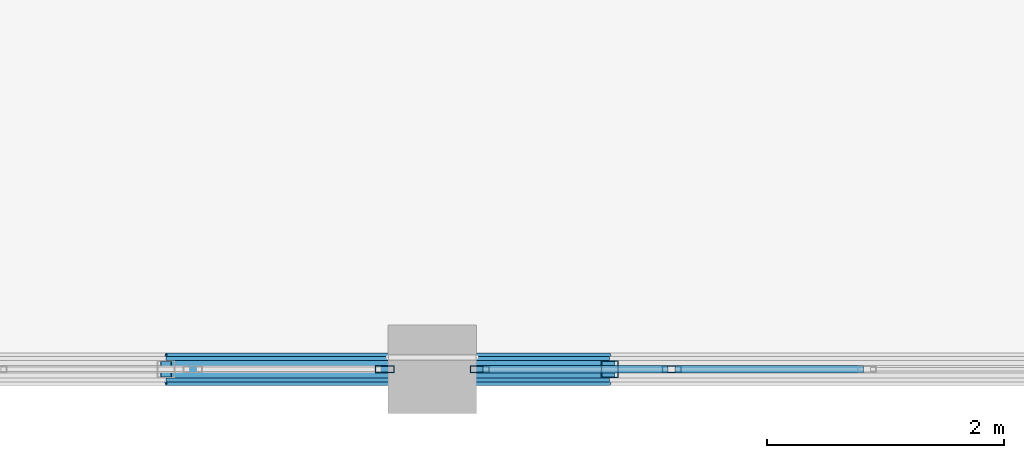
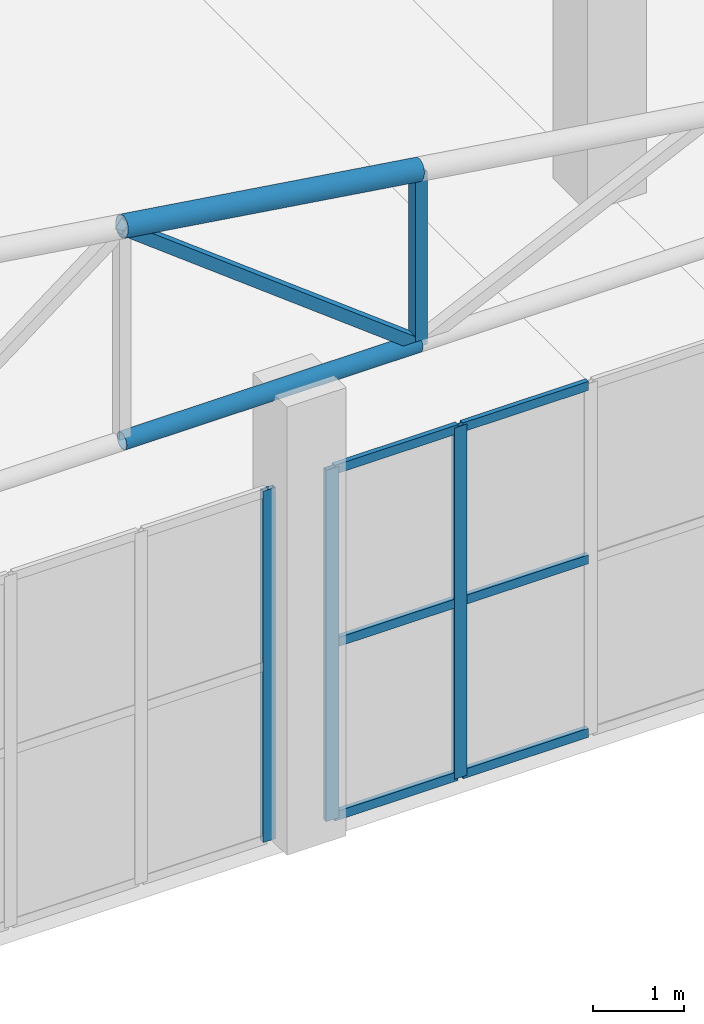
# One storey, part 51 of 223: 13 members, 2 elements without a shape of their own.
"""IFC4 building model written with IfcOpenShell, lengths in metres."""

from ifc_helpers import new_model, si_unit, direction, frame, origin, origin_2d, place, context, subcontext, project, spatial, hollow_rectangle, hollow_circle, extrude, material, layer, layer_set, material_profile, profile_set, type_object, element, aggregate, save


model = new_model("IFC4")

# Units and contexts
model_context = context("Model", 3, precision=1e-05, world=origin(), true_north=direction((0.0, 1.0)))
body_context = subcontext(model_context, "Body", "Model", "MODEL_VIEW")
ifc_project = project(units=[si_unit("LENGTHUNIT", "METRE"), si_unit("AREAUNIT", "SQUARE_METRE"), si_unit("VOLUMEUNIT", "CUBIC_METRE"), si_unit("PLANEANGLEUNIT", "RADIAN"), si_unit("MASSUNIT", "GRAM", prefix="KILO")], contexts=[model_context])

# Site, building, storey
site_placement = place(None, origin())
site = spatial("IfcSite", under=ifc_project, at=site_placement, CompositionType="ELEMENT")
building_placement = place(site_placement, origin())
building = spatial("IfcBuilding", under=site, at=building_placement, Name="Dornveld Trade and Exhibition Forum", CompositionType="ELEMENT")
storey_placement = place(building_placement, frame((0.0, 0.0, 6.0)))
storey = spatial("IfcBuildingStorey", under=building, at=storey_placement, Name="L01", CompositionType="ELEMENT", Elevation=6.0)

# Curtain wall, member
ifc_material_1 = material(Name="Dark-bronze anodised aluminium and low-E glass", Category="aluminium")
ifc_layer_1 = layer(ifc_material_1, 0.172119140625)
ifc_layer_set_1 = layer_set([ifc_layer_1], Name="Dark-bronze anodised aluminium and low-E glass")
curtain_wall_type_1 = type_object("IfcCurtainWallType", Name="CW-SYS-10", PredefinedType="USERDEFINED", material=ifc_layer_set_1)
curtain_wall_1_placement = place(storey_placement, origin())
curtain_wall_1 = element("IfcCurtainWall", 1, at=curtain_wall_1_placement, inside=storey, type_object=curtain_wall_type_1, Name="L01 unitised curtain wall 136", ObjectType="UNITISED_CURTAIN_WALL", PredefinedType="USERDEFINED")
ifc_material_2 = material(Name="Dark-bronze anodised aluminium", Category="aluminium")
ifc_material_profile_1 = material_profile(ifc_material_2, hollow_rectangle(XDim=0.06005859375, YDim=0.159912109375, WallThickness=0.00390625, at=origin_2d()), Name="RHS 160x60x4")
ifc_profile_set_1 = profile_set([ifc_material_profile_1], Name="Dark-bronze anodised aluminium")
member_type_1 = type_object("IfcMemberType", Name="CW-MUL-160", PredefinedType="MULLION", material=ifc_profile_set_1)
member_1_placement = place(storey_placement, frame((188.59912109375, 0.0, -0.00390625), z_axis=(0.0, 0.0, 1.0), x_axis=(0.0, 1.0, 0.0)))
member_1 = element("IfcMember", 2, at=member_1_placement, type_object=member_type_1, Name="CW-10 mullion 6", PredefinedType="MULLION", context=body_context, shape_type="SweptSolid", body=[
    extrude(hollow_rectangle(XDim=0.06005859375, YDim=0.159912109375, WallThickness=0.00390625, at=origin_2d()), origin(), (0.0, 0.0, 1.0), 4.703857421875),
])
aggregate(curtain_wall_1, [member_1])

# Curtain wall, members
ifc_material_3 = material(Name="Dark-bronze anodised aluminium and low-E glass", Category="aluminium")
ifc_layer_2 = layer(ifc_material_3, 0.175048828125)
ifc_layer_set_2 = layer_set([ifc_layer_2], Name="Dark-bronze anodised aluminium and low-E glass")
curtain_wall_type_2 = type_object("IfcCurtainWallType", Name="CW-SYS-11", PredefinedType="USERDEFINED", material=ifc_layer_set_2)
curtain_wall_2_placement = place(storey_placement, origin())
curtain_wall_2 = element("IfcCurtainWall", 3, at=curtain_wall_2_placement, inside=storey, type_object=curtain_wall_type_2, Name="L01 unitised curtain wall 137", ObjectType="UNITISED_CURTAIN_WALL", PredefinedType="USERDEFINED")
member_2_placement = place(storey_placement, frame((189.40087890625, 0.0, -0.00390625), z_axis=(0.0, 0.0, 1.0), x_axis=(0.0, 1.0, 0.0)))
member_2 = element("IfcMember", 4, at=member_2_placement, type_object=member_type_1, Name="CW-11 mullion 1", PredefinedType="MULLION", context=body_context, shape_type="SweptSolid", body=[
    extrude(hollow_rectangle(XDim=0.06005859375, YDim=0.159912109375, WallThickness=0.00390625, at=origin_2d()), origin(), (0.0, 0.0, 1.0), 4.703857421875),
])
member_3_placement = place(storey_placement, frame((191.022705078125, 0.0, -0.00390625), z_axis=(0.0, 0.0, 1.0), x_axis=(0.0, 1.0, 0.0)))
member_3 = element("IfcMember", 5, at=member_3_placement, type_object=member_type_1, Name="CW-11 mullion 2", PredefinedType="MULLION", context=body_context, shape_type="SweptSolid", body=[
    extrude(hollow_rectangle(XDim=0.06005859375, YDim=0.159912109375, WallThickness=0.00390625, at=origin_2d()), origin(), (0.0, 0.0, 1.0), 4.703857421875),
])
ifc_material_4 = material(Name="Dark-bronze anodised aluminium", Category="aluminium")
ifc_material_profile_2 = material_profile(ifc_material_4, hollow_rectangle(XDim=0.06005859375, YDim=0.1201171875, WallThickness=0.00390625, at=origin_2d()), Name="RHS 120x60x4")
ifc_profile_set_2 = profile_set([ifc_material_profile_2], Name="Dark-bronze anodised aluminium")
member_type_2 = type_object("IfcMemberType", Name="CW-TRN-120", PredefinedType="USERDEFINED", material=ifc_profile_set_2)
member_4_placement = place(storey_placement, frame((189.430908203125, 0.0, 0.02587890625), z_axis=(1.0, 0.0, 0.0), x_axis=(0.0, 1.0, 0.0)))
member_4 = element("IfcMember", 6, at=member_4_placement, type_object=member_type_2, Name="CW-11 transom 1.1", ObjectType="TRANSOM", PredefinedType="USERDEFINED", context=body_context, shape_type="SweptSolid", body=[
    extrude(hollow_rectangle(XDim=0.06005859375, YDim=0.1201171875, WallThickness=0.00390625, at=origin_2d()), origin(), (0.0, 0.0, 1.0), 1.561767578125),
])
member_5_placement = place(storey_placement, frame((189.430908203125, 0.0, 2.347900390625), z_axis=(1.0, 0.0, 0.0), x_axis=(0.0, 1.0, 0.0)))
member_5 = element("IfcMember", 7, at=member_5_placement, type_object=member_type_2, Name="CW-11 transom 1.2", ObjectType="TRANSOM", PredefinedType="USERDEFINED", context=body_context, shape_type="SweptSolid", body=[
    extrude(hollow_rectangle(XDim=0.06005859375, YDim=0.1201171875, WallThickness=0.00390625, at=origin_2d()), origin(), (0.0, 0.0, 1.0), 1.561767578125),
])
member_6_placement = place(storey_placement, frame((189.430908203125, 0.0, 4.669921875), z_axis=(1.0, 0.0, 0.0), x_axis=(0.0, 1.0, 0.0)))
member_6 = element("IfcMember", 8, at=member_6_placement, type_object=member_type_2, Name="CW-11 transom 1.3", ObjectType="TRANSOM", PredefinedType="USERDEFINED", context=body_context, shape_type="SweptSolid", body=[
    extrude(hollow_rectangle(XDim=0.06005859375, YDim=0.1201171875, WallThickness=0.00390625, at=origin_2d()), origin(), (0.0, 0.0, 1.0), 1.561767578125),
])
member_7_placement = place(storey_placement, frame((191.052490234375, 0.0, 0.02587890625), z_axis=(1.0, 0.0, 0.0), x_axis=(0.0, 1.0, 0.0)))
member_7 = element("IfcMember", 9, at=member_7_placement, type_object=member_type_2, Name="CW-11 transom 2.1", ObjectType="TRANSOM", PredefinedType="USERDEFINED", context=body_context, shape_type="SweptSolid", body=[
    extrude(hollow_rectangle(XDim=0.06005859375, YDim=0.1201171875, WallThickness=0.00390625, at=origin_2d()), origin(), (0.0, 0.0, 1.0), 1.591796875),
])
member_8_placement = place(storey_placement, frame((191.052490234375, 0.0, 2.347900390625), z_axis=(1.0, 0.0, 0.0), x_axis=(0.0, 1.0, 0.0)))
member_8 = element("IfcMember", 10, at=member_8_placement, type_object=member_type_2, Name="CW-11 transom 2.2", ObjectType="TRANSOM", PredefinedType="USERDEFINED", context=body_context, shape_type="SweptSolid", body=[
    extrude(hollow_rectangle(XDim=0.06005859375, YDim=0.1201171875, WallThickness=0.00390625, at=origin_2d()), origin(), (0.0, 0.0, 1.0), 1.591796875),
])
member_9_placement = place(storey_placement, frame((191.052490234375, 0.0, 4.669921875), z_axis=(1.0, 0.0, 0.0), x_axis=(0.0, 1.0, 0.0)))
member_9 = element("IfcMember", 11, at=member_9_placement, type_object=member_type_2, Name="CW-11 transom 2.3", ObjectType="TRANSOM", PredefinedType="USERDEFINED", context=body_context, shape_type="SweptSolid", body=[
    extrude(hollow_rectangle(XDim=0.06005859375, YDim=0.1201171875, WallThickness=0.00390625, at=origin_2d()), origin(), (0.0, 0.0, 1.0), 1.591796875),
])
aggregate(curtain_wall_2, [member_2, member_3, member_4, member_5, member_6, member_7, member_8, member_9])

# Members
ifc_material_5 = material(Name="Steel S355J2", Category="steel")
ifc_material_profile_3 = material_profile(ifc_material_5, hollow_rectangle(XDim=0.14990234375, YDim=0.14990234375, WallThickness=0.008056640625, at=origin_2d()), Name="SHS 150x150x8")
ifc_profile_set_3 = profile_set([ifc_material_profile_3], Name="Steel S355J2")
member_type_3 = type_object("IfcMemberType", Name="MEM-ARCH-STR", PredefinedType="STRUT", material=ifc_profile_set_3)
member_10_placement = place(storey_placement, frame((190.5, 0.0, 5.97998046875), z_axis=(0.0, 0.0, 1.0), x_axis=(1.0, 0.0, 0.0)))
element("IfcMember", 12, at=member_10_placement, inside=storey, type_object=member_type_3, Name="Congress roof truss 1 post 11", PredefinedType="STRUT", context=body_context, shape_type="SweptSolid", body=[
    extrude(hollow_rectangle(XDim=0.14990234375, YDim=0.14990234375, WallThickness=0.008056640625, at=origin_2d()), origin(), (0.0, 0.0, 1.0), 2.320068359375),
])
ifc_material_6 = material(Name="Steel S355J2", Category="steel")
ifc_material_profile_4 = material_profile(ifc_material_6, hollow_circle(Radius=0.109619140625, WallThickness=0.010009765625, at=origin_2d()), Name="CHS 219.1x10")
ifc_profile_set_4 = profile_set([ifc_material_profile_4], Name="Steel S355J2")
member_type_4 = type_object("IfcMemberType", Name="MEM-CONG-BC", PredefinedType="CHORD", material=ifc_profile_set_4)
member_11_placement = place(storey_placement, frame((186.75, 0.0, 5.97998046875), z_axis=(1.0, 0.0, 0.0), x_axis=(0.0, 1.0, 0.0)))
element("IfcMember", 13, at=member_11_placement, inside=storey, type_object=member_type_4, Name="Congress roof truss 1 bottom chord 10", PredefinedType="CHORD", context=body_context, shape_type="SweptSolid", body=[
    extrude(hollow_circle(Radius=0.109619140625, WallThickness=0.010009765625, at=origin_2d()), origin(), (0.0, 0.0, 1.0), 3.75),
])
ifc_material_7 = material(Name="Steel S355J2", Category="steel")
ifc_material_profile_5 = material_profile(ifc_material_7, hollow_circle(Radius=0.136474609375, WallThickness=0.012451171875, at=origin_2d()), Name="CHS 273x12.5")
ifc_profile_set_5 = profile_set([ifc_material_profile_5], Name="Steel S355J2")
member_type_5 = type_object("IfcMemberType", Name="MEM-CONG-TC", PredefinedType="CHORD", material=ifc_profile_set_5)
member_12_placement = place(storey_placement, frame((186.75, 0.0, 8.85009765625), z_axis=(0.989413064489, 0.0, -0.145126799108), x_axis=(0.0, 1.0, 0.0)))
element("IfcMember", 14, at=member_12_placement, inside=storey, type_object=member_type_5, Name="Congress roof truss 1 top chord 10", PredefinedType="CHORD", context=body_context, shape_type="SweptSolid", body=[
    extrude(hollow_circle(Radius=0.136474609375, WallThickness=0.012451171875, at=origin_2d()), origin(), (0.0, 0.0, 1.0), 3.7900390625),
])
ifc_material_8 = material(Name="Steel S355J2", Category="steel")
ifc_material_profile_6 = material_profile(ifc_material_8, hollow_rectangle(XDim=0.14990234375, YDim=0.14990234375, WallThickness=0.008056640625, at=origin_2d()), Name="SHS 150x150x8")
ifc_profile_set_6 = profile_set([ifc_material_profile_6], Name="Steel S355J2")
member_type_6 = type_object("IfcMemberType", Name="MEM-CONG-WEB", PredefinedType="BRACE", material=ifc_profile_set_6)
member_13_placement = place(storey_placement, frame((190.5, 0.0, 5.97998046875), z_axis=(-0.794105362147, 0.0, 0.607780119623), x_axis=(0.0, -1.0, 0.0)))
element("IfcMember", 15, at=member_13_placement, inside=storey, type_object=member_type_6, Name="Congress roof truss 1 web 10", PredefinedType="BRACE", context=body_context, shape_type="SweptSolid", body=[
    extrude(hollow_rectangle(XDim=0.14990234375, YDim=0.14990234375, WallThickness=0.008056640625, at=origin_2d()), origin(), (0.0, 0.0, 1.0), 4.722412109375),
])

save(model, "model.ifc")
